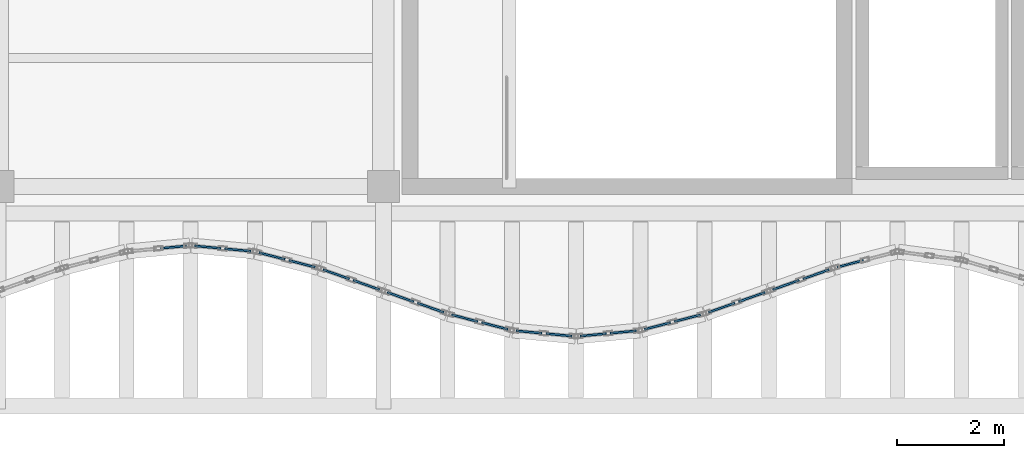
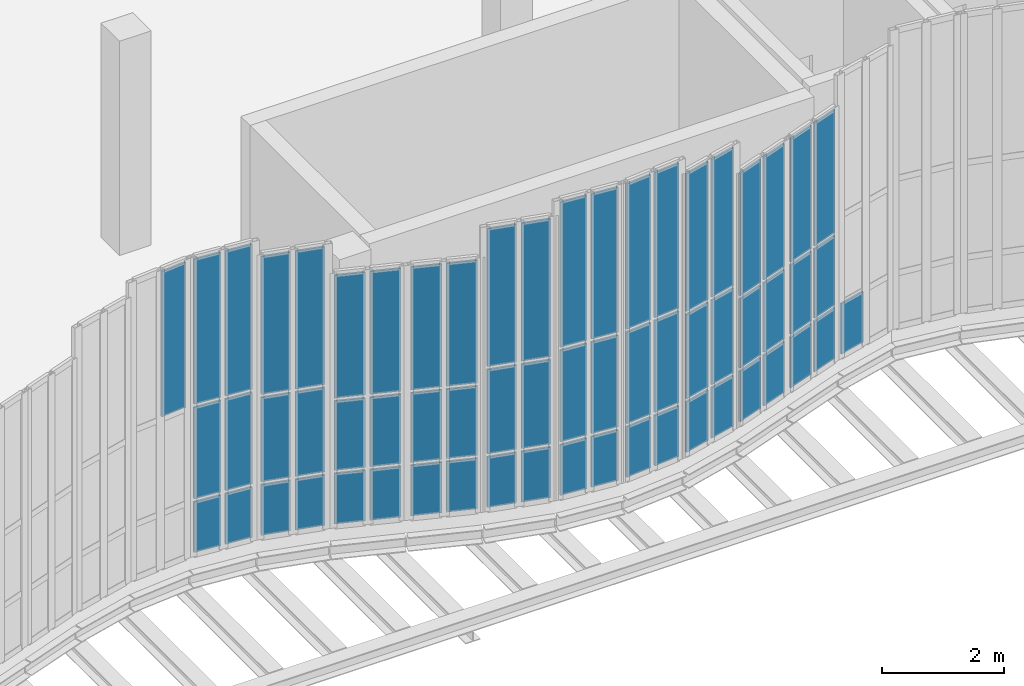
# One storey, part 51 of 76: 62 plates, 12 elements without a shape of their own.
"""IFC4 building model written with IfcOpenShell, lengths in metres."""

from ifc_helpers import new_model, si_unit, direction, frame, origin, origin_2d, place, context, subcontext, project, spatial, rectangle, extrude, material, layer, layer_set, type_object, element, aggregate, save


model = new_model("IFC4")

# Units and contexts
model_context = context("Model", 3, precision=1e-05, world=origin(), true_north=direction((0.0, 1.0)))
body_context = subcontext(model_context, "Body", "Model", "MODEL_VIEW")
ifc_project = project(units=[si_unit("LENGTHUNIT", "METRE"), si_unit("AREAUNIT", "SQUARE_METRE"), si_unit("VOLUMEUNIT", "CUBIC_METRE"), si_unit("PLANEANGLEUNIT", "RADIAN"), si_unit("MASSUNIT", "GRAM", prefix="KILO"), si_unit("THERMODYNAMICTEMPERATUREUNIT", "KELVIN"), si_unit("POWERUNIT", "WATT")], contexts=[model_context])

# Site, building, storey
site_placement = place(None, origin())
site = spatial("IfcSite", under=ifc_project, at=site_placement, CompositionType="ELEMENT")
building_placement = place(site_placement, origin())
building = spatial("IfcBuilding", under=site, at=building_placement, Name="Kaldorven Railside Theatre", CompositionType="ELEMENT")
storey_placement = place(building_placement, frame((0.0, 0.0, 14.39990234375)))
storey = spatial("IfcBuildingStorey", under=building, at=storey_placement, Name="L03", CompositionType="ELEMENT", Elevation=14.39990234375)

# Curtain wall, plate
ifc_material = material(Name="Low-E laminated solar-control glass", Category="glass")
ifc_layer_1 = layer(ifc_material, 0.159912109375, Name="Low-E laminated solar-control glass")
ifc_layer_set_1 = layer_set([ifc_layer_1], Name="Low-E laminated solar-control glass")
curtain_wall_type_1 = type_object("IfcCurtainWallType", Name="CWT-10", PredefinedType="USERDEFINED", material=ifc_layer_set_1)
curtain_wall_1_placement = place(storey_placement, origin())
curtain_wall_1 = element("IfcCurtainWall", 1, at=curtain_wall_1_placement, inside=storey, type_object=curtain_wall_type_1, Name="Sinusoidal Fluted Curtain Wall CW-L03-S15", ObjectType="FLUTED GLAZING", PredefinedType="USERDEFINED")
ifc_layer_2 = layer(ifc_material, 0.035888671875, Name="Low-E laminated solar-control glass")
ifc_layer_set_2 = layer_set([ifc_layer_2], Name="Low-E laminated solar-control glass")
plate_type = type_object("IfcPlateType", Name="CWP-CREST36", PredefinedType="CURTAIN_PANEL", material=ifc_layer_set_2)
plate_1_placement = place(storey_placement, frame((54.47998046875, 18.069580078125, 3.020263671875), z_axis=(0.0, 0.0, 1.0), x_axis=(0.995525623425, 0.094491973758, 0.0)))
plate_1 = element("IfcPlate", 2, at=plate_1_placement, type_object=plate_type, Name="CW-L03-S15 panel 2.3", PredefinedType="CURTAIN_PANEL", context=body_context, shape_type="SweptSolid", body=[
    extrude(rectangle(XDim=0.482666015625, YDim=0.035888671875, at=origin_2d()), origin(), (0.0, 0.0, 1.0), 2.89990234375),
])
aggregate(curtain_wall_1, [plate_1])

# Curtain wall, plates
curtain_wall_2_placement = place(storey_placement, origin())
curtain_wall_2 = element("IfcCurtainWall", 3, at=curtain_wall_2_placement, inside=storey, type_object=curtain_wall_type_1, Name="Sinusoidal Fluted Curtain Wall CW-L03-S16", ObjectType="FLUTED GLAZING", PredefinedType="USERDEFINED")
plate_2_placement = place(storey_placement, frame((55.119873046875, 18.069580078125, 0.06005859375), z_axis=(0.0, 0.0, 1.0), x_axis=(0.995525623425, -0.094491973758, 0.0)))
plate_2 = element("IfcPlate", 4, at=plate_2_placement, type_object=plate_type, Name="CW-L03-S16 panel 1.1", PredefinedType="CURTAIN_PANEL", context=body_context, shape_type="SweptSolid", body=[
    extrude(rectangle(XDim=0.482666015625, YDim=0.035888671875, at=origin_2d()), origin(), (0.0, 0.0, 1.0), 1.010009765625),
])
plate_3_placement = place(storey_placement, frame((55.119873046875, 18.069580078125, 1.130126953125), z_axis=(0.0, 0.0, 1.0), x_axis=(0.995525623425, -0.094491973758, 0.0)))
plate_3 = element("IfcPlate", 5, at=plate_3_placement, type_object=plate_type, Name="CW-L03-S16 panel 1.2", PredefinedType="CURTAIN_PANEL", context=body_context, shape_type="SweptSolid", body=[
    extrude(rectangle(XDim=0.482666015625, YDim=0.035888671875, at=origin_2d()), origin(), (0.0, 0.0, 1.0), 1.830078125),
])
plate_4_placement = place(storey_placement, frame((55.119873046875, 18.069580078125, 3.020263671875), z_axis=(0.0, 0.0, 1.0), x_axis=(0.995525623425, -0.094491973758, 0.0)))
plate_4 = element("IfcPlate", 6, at=plate_4_placement, type_object=plate_type, Name="CW-L03-S16 panel 1.3", PredefinedType="CURTAIN_PANEL", context=body_context, shape_type="SweptSolid", body=[
    extrude(rectangle(XDim=0.482666015625, YDim=0.035888671875, at=origin_2d()), origin(), (0.0, 0.0, 1.0), 2.89990234375),
])
plate_5_placement = place(storey_placement, frame((55.68017578125, 18.016357421875, 0.06005859375), z_axis=(0.0, 0.0, 1.0), x_axis=(0.995525623425, -0.094491973758, 0.0)))
plate_5 = element("IfcPlate", 7, at=plate_5_placement, type_object=plate_type, Name="CW-L03-S16 panel 2.1", PredefinedType="CURTAIN_PANEL", context=body_context, shape_type="SweptSolid", body=[
    extrude(rectangle(XDim=0.482666015625, YDim=0.035888671875, at=origin_2d()), origin(), (0.0, 0.0, 1.0), 1.010009765625),
])
plate_6_placement = place(storey_placement, frame((55.68017578125, 18.016357421875, 1.130126953125), z_axis=(0.0, 0.0, 1.0), x_axis=(0.995525623425, -0.094491973758, 0.0)))
plate_6 = element("IfcPlate", 8, at=plate_6_placement, type_object=plate_type, Name="CW-L03-S16 panel 2.2", PredefinedType="CURTAIN_PANEL", context=body_context, shape_type="SweptSolid", body=[
    extrude(rectangle(XDim=0.482666015625, YDim=0.035888671875, at=origin_2d()), origin(), (0.0, 0.0, 1.0), 1.830078125),
])
plate_7_placement = place(storey_placement, frame((55.68017578125, 18.016357421875, 3.020263671875), z_axis=(0.0, 0.0, 1.0), x_axis=(0.995525623425, -0.094491973758, 0.0)))
plate_7 = element("IfcPlate", 9, at=plate_7_placement, type_object=plate_type, Name="CW-L03-S16 panel 2.3", PredefinedType="CURTAIN_PANEL", context=body_context, shape_type="SweptSolid", body=[
    extrude(rectangle(XDim=0.482666015625, YDim=0.035888671875, at=origin_2d()), origin(), (0.0, 0.0, 1.0), 2.89990234375),
])
aggregate(curtain_wall_2, [plate_2, plate_3, plate_4, plate_5, plate_6, plate_7])

ifc_layer_3 = layer(ifc_material, 0.159912109375, Name="Low-E laminated solar-control glass")
ifc_layer_set_3 = layer_set([ifc_layer_3], Name="Low-E laminated solar-control glass")
curtain_wall_type_2 = type_object("IfcCurtainWallType", Name="CWT-09", PredefinedType="USERDEFINED", material=ifc_layer_set_3)
curtain_wall_3_placement = place(storey_placement, origin())
curtain_wall_3 = element("IfcCurtainWall", 10, at=curtain_wall_3_placement, inside=storey, type_object=curtain_wall_type_2, Name="Sinusoidal Fluted Curtain Wall CW-L03-S17", ObjectType="FLUTED GLAZING", PredefinedType="USERDEFINED")
plate_8_placement = place(storey_placement, frame((56.3193359375, 17.9033203125, 0.06005859375), z_axis=(0.0, 0.0, 1.0), x_axis=(0.967999075505, -0.250953760326, 0.0)))
plate_8 = element("IfcPlate", 11, at=plate_8_placement, type_object=plate_type, Name="CW-L03-S17 panel 1.1", PredefinedType="CURTAIN_PANEL", context=body_context, shape_type="SweptSolid", body=[
    extrude(rectangle(XDim=0.499755859375, YDim=0.035888671875, at=origin_2d()), origin(), (0.0, 0.0, 1.0), 1.010009765625),
])
plate_9_placement = place(storey_placement, frame((56.3193359375, 17.9033203125, 1.130126953125), z_axis=(0.0, 0.0, 1.0), x_axis=(0.967999075505, -0.250953760326, 0.0)))
plate_9 = element("IfcPlate", 12, at=plate_9_placement, type_object=plate_type, Name="CW-L03-S17 panel 1.2", PredefinedType="CURTAIN_PANEL", context=body_context, shape_type="SweptSolid", body=[
    extrude(rectangle(XDim=0.499755859375, YDim=0.035888671875, at=origin_2d()), origin(), (0.0, 0.0, 1.0), 1.68505859375),
])
plate_10_placement = place(storey_placement, frame((56.3193359375, 17.9033203125, 2.875244140625), z_axis=(0.0, 0.0, 1.0), x_axis=(0.967999075505, -0.250953760326, 0.0)))
plate_10 = element("IfcPlate", 13, at=plate_10_placement, type_object=plate_type, Name="CW-L03-S17 panel 1.3", PredefinedType="CURTAIN_PANEL", context=body_context, shape_type="SweptSolid", body=[
    extrude(rectangle(XDim=0.499755859375, YDim=0.035888671875, at=origin_2d()), origin(), (0.0, 0.0, 1.0), 2.7548828125),
])
plate_11_placement = place(storey_placement, frame((56.880615234375, 17.7578125, 0.06005859375), z_axis=(0.0, 0.0, 1.0), x_axis=(0.967999075505, -0.250953760326, 0.0)))
plate_11 = element("IfcPlate", 14, at=plate_11_placement, type_object=plate_type, Name="CW-L03-S17 panel 2.1", PredefinedType="CURTAIN_PANEL", context=body_context, shape_type="SweptSolid", body=[
    extrude(rectangle(XDim=0.499755859375, YDim=0.035888671875, at=origin_2d()), origin(), (0.0, 0.0, 1.0), 1.010009765625),
])
plate_12_placement = place(storey_placement, frame((56.880615234375, 17.7578125, 1.130126953125), z_axis=(0.0, 0.0, 1.0), x_axis=(0.967999075505, -0.250953760326, 0.0)))
plate_12 = element("IfcPlate", 15, at=plate_12_placement, type_object=plate_type, Name="CW-L03-S17 panel 2.2", PredefinedType="CURTAIN_PANEL", context=body_context, shape_type="SweptSolid", body=[
    extrude(rectangle(XDim=0.499755859375, YDim=0.035888671875, at=origin_2d()), origin(), (0.0, 0.0, 1.0), 1.68505859375),
])
plate_13_placement = place(storey_placement, frame((56.880615234375, 17.7578125, 2.875244140625), z_axis=(0.0, 0.0, 1.0), x_axis=(0.967999075505, -0.250953760326, 0.0)))
plate_13 = element("IfcPlate", 16, at=plate_13_placement, type_object=plate_type, Name="CW-L03-S17 panel 2.3", PredefinedType="CURTAIN_PANEL", context=body_context, shape_type="SweptSolid", body=[
    extrude(rectangle(XDim=0.499755859375, YDim=0.035888671875, at=origin_2d()), origin(), (0.0, 0.0, 1.0), 2.7548828125),
])
aggregate(curtain_wall_3, [plate_8, plate_9, plate_10, plate_11, plate_12, plate_13])

ifc_layer_4 = layer(ifc_material, 0.159912109375, Name="Low-E laminated solar-control glass")
ifc_layer_set_4 = layer_set([ifc_layer_4], Name="Low-E laminated solar-control glass")
curtain_wall_type_3 = type_object("IfcCurtainWallType", Name="CWT-08", PredefinedType="USERDEFINED", material=ifc_layer_set_4)
curtain_wall_4_placement = place(storey_placement, origin())
curtain_wall_4 = element("IfcCurtainWall", 17, at=curtain_wall_4_placement, inside=storey, type_object=curtain_wall_type_3, Name="Sinusoidal Fluted Curtain Wall CW-L03-S18", ObjectType="FLUTED GLAZING", PredefinedType="USERDEFINED")
plate_14_placement = place(storey_placement, frame((57.518798828125, 17.56201171875, 0.06005859375), z_axis=(0.0, 0.0, 1.0), x_axis=(0.942627225159, -0.33384714225, 0.0)))
plate_14 = element("IfcPlate", 18, at=plate_14_placement, type_object=plate_type, Name="CW-L03-S18 panel 1.1", PredefinedType="CURTAIN_PANEL", context=body_context, shape_type="SweptSolid", body=[
    extrude(rectangle(XDim=0.5166015625, YDim=0.035888671875, at=origin_2d()), origin(), (0.0, 0.0, 1.0), 1.010009765625),
])
plate_15_placement = place(storey_placement, frame((57.518798828125, 17.56201171875, 1.1298828125), z_axis=(0.0, 0.0, 1.0), x_axis=(0.942627225159, -0.33384714225, 0.0)))
plate_15 = element("IfcPlate", 19, at=plate_15_placement, type_object=plate_type, Name="CW-L03-S18 panel 1.2", PredefinedType="CURTAIN_PANEL", context=body_context, shape_type="SweptSolid", body=[
    extrude(rectangle(XDim=0.5166015625, YDim=0.035888671875, at=origin_2d()), origin(), (0.0, 0.0, 1.0), 1.385009765625),
])
plate_16_placement = place(storey_placement, frame((57.518798828125, 17.56201171875, 2.574951171875), z_axis=(0.0, 0.0, 1.0), x_axis=(0.942627225159, -0.33384714225, 0.0)))
plate_16 = element("IfcPlate", 20, at=plate_16_placement, type_object=plate_type, Name="CW-L03-S18 panel 1.3", PredefinedType="CURTAIN_PANEL", context=body_context, shape_type="SweptSolid", body=[
    extrude(rectangle(XDim=0.5166015625, YDim=0.035888671875, at=origin_2d()), origin(), (0.0, 0.0, 1.0), 2.455078125),
])
plate_17_placement = place(storey_placement, frame((58.0810546875, 17.363037109375, 0.06005859375), z_axis=(0.0, 0.0, 1.0), x_axis=(0.942627225159, -0.33384714225, 0.0)))
plate_17 = element("IfcPlate", 21, at=plate_17_placement, type_object=plate_type, Name="CW-L03-S18 panel 2.1", PredefinedType="CURTAIN_PANEL", context=body_context, shape_type="SweptSolid", body=[
    extrude(rectangle(XDim=0.5166015625, YDim=0.035888671875, at=origin_2d()), origin(), (0.0, 0.0, 1.0), 1.010009765625),
])
plate_18_placement = place(storey_placement, frame((58.0810546875, 17.363037109375, 1.1298828125), z_axis=(0.0, 0.0, 1.0), x_axis=(0.942627225159, -0.33384714225, 0.0)))
plate_18 = element("IfcPlate", 22, at=plate_18_placement, type_object=plate_type, Name="CW-L03-S18 panel 2.2", PredefinedType="CURTAIN_PANEL", context=body_context, shape_type="SweptSolid", body=[
    extrude(rectangle(XDim=0.5166015625, YDim=0.035888671875, at=origin_2d()), origin(), (0.0, 0.0, 1.0), 1.385009765625),
])
plate_19_placement = place(storey_placement, frame((58.0810546875, 17.363037109375, 2.574951171875), z_axis=(0.0, 0.0, 1.0), x_axis=(0.942627225159, -0.33384714225, 0.0)))
plate_19 = element("IfcPlate", 23, at=plate_19_placement, type_object=plate_type, Name="CW-L03-S18 panel 2.3", PredefinedType="CURTAIN_PANEL", context=body_context, shape_type="SweptSolid", body=[
    extrude(rectangle(XDim=0.5166015625, YDim=0.035888671875, at=origin_2d()), origin(), (0.0, 0.0, 1.0), 2.455078125),
])
aggregate(curtain_wall_4, [plate_14, plate_15, plate_16, plate_17, plate_18, plate_19])

curtain_wall_5_placement = place(storey_placement, origin())
curtain_wall_5 = element("IfcCurtainWall", 24, at=curtain_wall_5_placement, inside=storey, type_object=curtain_wall_type_3, Name="Sinusoidal Fluted Curtain Wall CW-L03-S19", ObjectType="FLUTED GLAZING", PredefinedType="USERDEFINED")
plate_20_placement = place(storey_placement, frame((58.71875, 17.136962890625, 0.06005859375), z_axis=(0.0, 0.0, 1.0), x_axis=(0.942627225159, -0.33384714225, 0.0)))
plate_20 = element("IfcPlate", 25, at=plate_20_placement, type_object=plate_type, Name="CW-L03-S19 panel 1.1", PredefinedType="CURTAIN_PANEL", context=body_context, shape_type="SweptSolid", body=[
    extrude(rectangle(XDim=0.5166015625, YDim=0.035888671875, at=origin_2d()), origin(), (0.0, 0.0, 1.0), 1.010009765625),
])
plate_21_placement = place(storey_placement, frame((58.71875, 17.136962890625, 1.1298828125), z_axis=(0.0, 0.0, 1.0), x_axis=(0.942627225159, -0.33384714225, 0.0)))
plate_21 = element("IfcPlate", 26, at=plate_21_placement, type_object=plate_type, Name="CW-L03-S19 panel 1.2", PredefinedType="CURTAIN_PANEL", context=body_context, shape_type="SweptSolid", body=[
    extrude(rectangle(XDim=0.5166015625, YDim=0.035888671875, at=origin_2d()), origin(), (0.0, 0.0, 1.0), 1.385009765625),
])
plate_22_placement = place(storey_placement, frame((58.71875, 17.136962890625, 2.574951171875), z_axis=(0.0, 0.0, 1.0), x_axis=(0.942627225159, -0.33384714225, 0.0)))
plate_22 = element("IfcPlate", 27, at=plate_22_placement, type_object=plate_type, Name="CW-L03-S19 panel 1.3", PredefinedType="CURTAIN_PANEL", context=body_context, shape_type="SweptSolid", body=[
    extrude(rectangle(XDim=0.5166015625, YDim=0.035888671875, at=origin_2d()), origin(), (0.0, 0.0, 1.0), 2.455078125),
])
plate_23_placement = place(storey_placement, frame((59.28125, 16.93798828125, 0.06005859375), z_axis=(0.0, 0.0, 1.0), x_axis=(0.942627225159, -0.33384714225, 0.0)))
plate_23 = element("IfcPlate", 28, at=plate_23_placement, type_object=plate_type, Name="CW-L03-S19 panel 2.1", PredefinedType="CURTAIN_PANEL", context=body_context, shape_type="SweptSolid", body=[
    extrude(rectangle(XDim=0.5166015625, YDim=0.035888671875, at=origin_2d()), origin(), (0.0, 0.0, 1.0), 1.010009765625),
])
plate_24_placement = place(storey_placement, frame((59.28125, 16.93798828125, 1.1298828125), z_axis=(0.0, 0.0, 1.0), x_axis=(0.942627225159, -0.33384714225, 0.0)))
plate_24 = element("IfcPlate", 29, at=plate_24_placement, type_object=plate_type, Name="CW-L03-S19 panel 2.2", PredefinedType="CURTAIN_PANEL", context=body_context, shape_type="SweptSolid", body=[
    extrude(rectangle(XDim=0.5166015625, YDim=0.035888671875, at=origin_2d()), origin(), (0.0, 0.0, 1.0), 1.385009765625),
])
plate_25_placement = place(storey_placement, frame((59.28125, 16.93798828125, 2.574951171875), z_axis=(0.0, 0.0, 1.0), x_axis=(0.942627225159, -0.33384714225, 0.0)))
plate_25 = element("IfcPlate", 30, at=plate_25_placement, type_object=plate_type, Name="CW-L03-S19 panel 2.3", PredefinedType="CURTAIN_PANEL", context=body_context, shape_type="SweptSolid", body=[
    extrude(rectangle(XDim=0.5166015625, YDim=0.035888671875, at=origin_2d()), origin(), (0.0, 0.0, 1.0), 2.455078125),
])
aggregate(curtain_wall_5, [plate_20, plate_21, plate_22, plate_23, plate_24, plate_25])

curtain_wall_6_placement = place(storey_placement, origin())
curtain_wall_6 = element("IfcCurtainWall", 31, at=curtain_wall_6_placement, inside=storey, type_object=curtain_wall_type_2, Name="Sinusoidal Fluted Curtain Wall CW-L03-S20", ObjectType="FLUTED GLAZING", PredefinedType="USERDEFINED")
plate_26_placement = place(storey_placement, frame((59.91943359375, 16.7421875, 0.06005859375), z_axis=(0.0, 0.0, 1.0), x_axis=(0.967999075505, -0.250953760326, 0.0)))
plate_26 = element("IfcPlate", 32, at=plate_26_placement, type_object=plate_type, Name="CW-L03-S20 panel 1.1", PredefinedType="CURTAIN_PANEL", context=body_context, shape_type="SweptSolid", body=[
    extrude(rectangle(XDim=0.499755859375, YDim=0.035888671875, at=origin_2d()), origin(), (0.0, 0.0, 1.0), 1.010009765625),
])
plate_27_placement = place(storey_placement, frame((59.91943359375, 16.7421875, 1.130126953125), z_axis=(0.0, 0.0, 1.0), x_axis=(0.967999075505, -0.250953760326, 0.0)))
plate_27 = element("IfcPlate", 33, at=plate_27_placement, type_object=plate_type, Name="CW-L03-S20 panel 1.2", PredefinedType="CURTAIN_PANEL", context=body_context, shape_type="SweptSolid", body=[
    extrude(rectangle(XDim=0.499755859375, YDim=0.035888671875, at=origin_2d()), origin(), (0.0, 0.0, 1.0), 1.68505859375),
])
plate_28_placement = place(storey_placement, frame((59.91943359375, 16.7421875, 2.875244140625), z_axis=(0.0, 0.0, 1.0), x_axis=(0.967999075505, -0.250953760326, 0.0)))
plate_28 = element("IfcPlate", 34, at=plate_28_placement, type_object=plate_type, Name="CW-L03-S20 panel 1.3", PredefinedType="CURTAIN_PANEL", context=body_context, shape_type="SweptSolid", body=[
    extrude(rectangle(XDim=0.499755859375, YDim=0.035888671875, at=origin_2d()), origin(), (0.0, 0.0, 1.0), 2.7548828125),
])
plate_29_placement = place(storey_placement, frame((60.480712890625, 16.5966796875, 0.06005859375), z_axis=(0.0, 0.0, 1.0), x_axis=(0.967999075505, -0.250953760326, 0.0)))
plate_29 = element("IfcPlate", 35, at=plate_29_placement, type_object=plate_type, Name="CW-L03-S20 panel 2.1", PredefinedType="CURTAIN_PANEL", context=body_context, shape_type="SweptSolid", body=[
    extrude(rectangle(XDim=0.499755859375, YDim=0.035888671875, at=origin_2d()), origin(), (0.0, 0.0, 1.0), 1.010009765625),
])
plate_30_placement = place(storey_placement, frame((60.480712890625, 16.5966796875, 1.130126953125), z_axis=(0.0, 0.0, 1.0), x_axis=(0.967999075505, -0.250953760326, 0.0)))
plate_30 = element("IfcPlate", 36, at=plate_30_placement, type_object=plate_type, Name="CW-L03-S20 panel 2.2", PredefinedType="CURTAIN_PANEL", context=body_context, shape_type="SweptSolid", body=[
    extrude(rectangle(XDim=0.499755859375, YDim=0.035888671875, at=origin_2d()), origin(), (0.0, 0.0, 1.0), 1.68505859375),
])
plate_31_placement = place(storey_placement, frame((60.480712890625, 16.5966796875, 2.875244140625), z_axis=(0.0, 0.0, 1.0), x_axis=(0.967999075505, -0.250953760326, 0.0)))
plate_31 = element("IfcPlate", 37, at=plate_31_placement, type_object=plate_type, Name="CW-L03-S20 panel 2.3", PredefinedType="CURTAIN_PANEL", context=body_context, shape_type="SweptSolid", body=[
    extrude(rectangle(XDim=0.499755859375, YDim=0.035888671875, at=origin_2d()), origin(), (0.0, 0.0, 1.0), 2.7548828125),
])
aggregate(curtain_wall_6, [plate_26, plate_27, plate_28, plate_29, plate_30, plate_31])

curtain_wall_7_placement = place(storey_placement, origin())
curtain_wall_7 = element("IfcCurtainWall", 38, at=curtain_wall_7_placement, inside=storey, type_object=curtain_wall_type_1, Name="Sinusoidal Fluted Curtain Wall CW-L03-S21", ObjectType="FLUTED GLAZING", PredefinedType="USERDEFINED")
plate_32_placement = place(storey_placement, frame((61.119873046875, 16.483642578125, 0.06005859375), z_axis=(0.0, 0.0, 1.0), x_axis=(0.995525623425, -0.094491973758, 0.0)))
plate_32 = element("IfcPlate", 39, at=plate_32_placement, type_object=plate_type, Name="CW-L03-S21 panel 1.1", PredefinedType="CURTAIN_PANEL", context=body_context, shape_type="SweptSolid", body=[
    extrude(rectangle(XDim=0.482666015625, YDim=0.035888671875, at=origin_2d()), origin(), (0.0, 0.0, 1.0), 1.010009765625),
])
plate_33_placement = place(storey_placement, frame((61.119873046875, 16.483642578125, 1.130126953125), z_axis=(0.0, 0.0, 1.0), x_axis=(0.995525623425, -0.094491973758, 0.0)))
plate_33 = element("IfcPlate", 40, at=plate_33_placement, type_object=plate_type, Name="CW-L03-S21 panel 1.2", PredefinedType="CURTAIN_PANEL", context=body_context, shape_type="SweptSolid", body=[
    extrude(rectangle(XDim=0.482666015625, YDim=0.035888671875, at=origin_2d()), origin(), (0.0, 0.0, 1.0), 1.830078125),
])
plate_34_placement = place(storey_placement, frame((61.119873046875, 16.483642578125, 3.020263671875), z_axis=(0.0, 0.0, 1.0), x_axis=(0.995525623425, -0.094491973758, 0.0)))
plate_34 = element("IfcPlate", 41, at=plate_34_placement, type_object=plate_type, Name="CW-L03-S21 panel 1.3", PredefinedType="CURTAIN_PANEL", context=body_context, shape_type="SweptSolid", body=[
    extrude(rectangle(XDim=0.482666015625, YDim=0.035888671875, at=origin_2d()), origin(), (0.0, 0.0, 1.0), 2.89990234375),
])
plate_35_placement = place(storey_placement, frame((61.68017578125, 16.430419921875, 0.06005859375), z_axis=(0.0, 0.0, 1.0), x_axis=(0.995525623425, -0.094491973758, 0.0)))
plate_35 = element("IfcPlate", 42, at=plate_35_placement, type_object=plate_type, Name="CW-L03-S21 panel 2.1", PredefinedType="CURTAIN_PANEL", context=body_context, shape_type="SweptSolid", body=[
    extrude(rectangle(XDim=0.482666015625, YDim=0.035888671875, at=origin_2d()), origin(), (0.0, 0.0, 1.0), 1.010009765625),
])
plate_36_placement = place(storey_placement, frame((61.68017578125, 16.430419921875, 1.130126953125), z_axis=(0.0, 0.0, 1.0), x_axis=(0.995525623425, -0.094491973758, 0.0)))
plate_36 = element("IfcPlate", 43, at=plate_36_placement, type_object=plate_type, Name="CW-L03-S21 panel 2.2", PredefinedType="CURTAIN_PANEL", context=body_context, shape_type="SweptSolid", body=[
    extrude(rectangle(XDim=0.482666015625, YDim=0.035888671875, at=origin_2d()), origin(), (0.0, 0.0, 1.0), 1.830078125),
])
plate_37_placement = place(storey_placement, frame((61.68017578125, 16.430419921875, 3.020263671875), z_axis=(0.0, 0.0, 1.0), x_axis=(0.995525623425, -0.094491973758, 0.0)))
plate_37 = element("IfcPlate", 44, at=plate_37_placement, type_object=plate_type, Name="CW-L03-S21 panel 2.3", PredefinedType="CURTAIN_PANEL", context=body_context, shape_type="SweptSolid", body=[
    extrude(rectangle(XDim=0.482666015625, YDim=0.035888671875, at=origin_2d()), origin(), (0.0, 0.0, 1.0), 2.89990234375),
])
aggregate(curtain_wall_7, [plate_32, plate_33, plate_34, plate_35, plate_36, plate_37])

curtain_wall_8_placement = place(storey_placement, origin())
curtain_wall_8 = element("IfcCurtainWall", 45, at=curtain_wall_8_placement, inside=storey, type_object=curtain_wall_type_1, Name="Sinusoidal Fluted Curtain Wall CW-L03-S22", ObjectType="FLUTED GLAZING", PredefinedType="USERDEFINED")
plate_38_placement = place(storey_placement, frame((62.31982421875, 16.430419921875, 0.06005859375), z_axis=(0.0, 0.0, 1.0), x_axis=(0.995525623425, 0.094491973758, 0.0)))
plate_38 = element("IfcPlate", 46, at=plate_38_placement, type_object=plate_type, Name="CW-L03-S22 panel 1.1", PredefinedType="CURTAIN_PANEL", context=body_context, shape_type="SweptSolid", body=[
    extrude(rectangle(XDim=0.482666015625, YDim=0.035888671875, at=origin_2d()), origin(), (0.0, 0.0, 1.0), 1.010009765625),
])
plate_39_placement = place(storey_placement, frame((62.31982421875, 16.430419921875, 1.130126953125), z_axis=(0.0, 0.0, 1.0), x_axis=(0.995525623425, 0.094491973758, 0.0)))
plate_39 = element("IfcPlate", 47, at=plate_39_placement, type_object=plate_type, Name="CW-L03-S22 panel 1.2", PredefinedType="CURTAIN_PANEL", context=body_context, shape_type="SweptSolid", body=[
    extrude(rectangle(XDim=0.482666015625, YDim=0.035888671875, at=origin_2d()), origin(), (0.0, 0.0, 1.0), 1.830078125),
])
plate_40_placement = place(storey_placement, frame((62.31982421875, 16.430419921875, 3.020263671875), z_axis=(0.0, 0.0, 1.0), x_axis=(0.995525623425, 0.094491973758, 0.0)))
plate_40 = element("IfcPlate", 48, at=plate_40_placement, type_object=plate_type, Name="CW-L03-S22 panel 1.3", PredefinedType="CURTAIN_PANEL", context=body_context, shape_type="SweptSolid", body=[
    extrude(rectangle(XDim=0.482666015625, YDim=0.035888671875, at=origin_2d()), origin(), (0.0, 0.0, 1.0), 2.89990234375),
])
plate_41_placement = place(storey_placement, frame((62.880126953125, 16.483642578125, 0.06005859375), z_axis=(0.0, 0.0, 1.0), x_axis=(0.995525623425, 0.094491973758, 0.0)))
plate_41 = element("IfcPlate", 49, at=plate_41_placement, type_object=plate_type, Name="CW-L03-S22 panel 2.1", PredefinedType="CURTAIN_PANEL", context=body_context, shape_type="SweptSolid", body=[
    extrude(rectangle(XDim=0.482666015625, YDim=0.035888671875, at=origin_2d()), origin(), (0.0, 0.0, 1.0), 1.010009765625),
])
plate_42_placement = place(storey_placement, frame((62.880126953125, 16.483642578125, 1.130126953125), z_axis=(0.0, 0.0, 1.0), x_axis=(0.995525623425, 0.094491973758, 0.0)))
plate_42 = element("IfcPlate", 50, at=plate_42_placement, type_object=plate_type, Name="CW-L03-S22 panel 2.2", PredefinedType="CURTAIN_PANEL", context=body_context, shape_type="SweptSolid", body=[
    extrude(rectangle(XDim=0.482666015625, YDim=0.035888671875, at=origin_2d()), origin(), (0.0, 0.0, 1.0), 1.830078125),
])
plate_43_placement = place(storey_placement, frame((62.880126953125, 16.483642578125, 3.020263671875), z_axis=(0.0, 0.0, 1.0), x_axis=(0.995525623425, 0.094491973758, 0.0)))
plate_43 = element("IfcPlate", 51, at=plate_43_placement, type_object=plate_type, Name="CW-L03-S22 panel 2.3", PredefinedType="CURTAIN_PANEL", context=body_context, shape_type="SweptSolid", body=[
    extrude(rectangle(XDim=0.482666015625, YDim=0.035888671875, at=origin_2d()), origin(), (0.0, 0.0, 1.0), 2.89990234375),
])
aggregate(curtain_wall_8, [plate_38, plate_39, plate_40, plate_41, plate_42, plate_43])

curtain_wall_9_placement = place(storey_placement, origin())
curtain_wall_9 = element("IfcCurtainWall", 52, at=curtain_wall_9_placement, inside=storey, type_object=curtain_wall_type_2, Name="Sinusoidal Fluted Curtain Wall CW-L03-S23", ObjectType="FLUTED GLAZING", PredefinedType="USERDEFINED")
plate_44_placement = place(storey_placement, frame((63.519287109375, 16.5966796875, 0.06005859375), z_axis=(0.0, 0.0, 1.0), x_axis=(0.967999075505, 0.250953760326, 0.0)))
plate_44 = element("IfcPlate", 53, at=plate_44_placement, type_object=plate_type, Name="CW-L03-S23 panel 1.1", PredefinedType="CURTAIN_PANEL", context=body_context, shape_type="SweptSolid", body=[
    extrude(rectangle(XDim=0.499755859375, YDim=0.035888671875, at=origin_2d()), origin(), (0.0, 0.0, 1.0), 1.010009765625),
])
plate_45_placement = place(storey_placement, frame((63.519287109375, 16.5966796875, 1.130126953125), z_axis=(0.0, 0.0, 1.0), x_axis=(0.967999075505, 0.250953760326, 0.0)))
plate_45 = element("IfcPlate", 54, at=plate_45_placement, type_object=plate_type, Name="CW-L03-S23 panel 1.2", PredefinedType="CURTAIN_PANEL", context=body_context, shape_type="SweptSolid", body=[
    extrude(rectangle(XDim=0.499755859375, YDim=0.035888671875, at=origin_2d()), origin(), (0.0, 0.0, 1.0), 1.68505859375),
])
plate_46_placement = place(storey_placement, frame((63.519287109375, 16.5966796875, 2.875244140625), z_axis=(0.0, 0.0, 1.0), x_axis=(0.967999075505, 0.250953760326, 0.0)))
plate_46 = element("IfcPlate", 55, at=plate_46_placement, type_object=plate_type, Name="CW-L03-S23 panel 1.3", PredefinedType="CURTAIN_PANEL", context=body_context, shape_type="SweptSolid", body=[
    extrude(rectangle(XDim=0.499755859375, YDim=0.035888671875, at=origin_2d()), origin(), (0.0, 0.0, 1.0), 2.7548828125),
])
plate_47_placement = place(storey_placement, frame((64.08056640625, 16.7421875, 0.06005859375), z_axis=(0.0, 0.0, 1.0), x_axis=(0.967999075505, 0.250953760326, 0.0)))
plate_47 = element("IfcPlate", 56, at=plate_47_placement, type_object=plate_type, Name="CW-L03-S23 panel 2.1", PredefinedType="CURTAIN_PANEL", context=body_context, shape_type="SweptSolid", body=[
    extrude(rectangle(XDim=0.499755859375, YDim=0.035888671875, at=origin_2d()), origin(), (0.0, 0.0, 1.0), 1.010009765625),
])
plate_48_placement = place(storey_placement, frame((64.08056640625, 16.7421875, 1.130126953125), z_axis=(0.0, 0.0, 1.0), x_axis=(0.967999075505, 0.250953760326, 0.0)))
plate_48 = element("IfcPlate", 57, at=plate_48_placement, type_object=plate_type, Name="CW-L03-S23 panel 2.2", PredefinedType="CURTAIN_PANEL", context=body_context, shape_type="SweptSolid", body=[
    extrude(rectangle(XDim=0.499755859375, YDim=0.035888671875, at=origin_2d()), origin(), (0.0, 0.0, 1.0), 1.68505859375),
])
plate_49_placement = place(storey_placement, frame((64.08056640625, 16.7421875, 2.875244140625), z_axis=(0.0, 0.0, 1.0), x_axis=(0.967999075505, 0.250953760326, 0.0)))
plate_49 = element("IfcPlate", 58, at=plate_49_placement, type_object=plate_type, Name="CW-L03-S23 panel 2.3", PredefinedType="CURTAIN_PANEL", context=body_context, shape_type="SweptSolid", body=[
    extrude(rectangle(XDim=0.499755859375, YDim=0.035888671875, at=origin_2d()), origin(), (0.0, 0.0, 1.0), 2.7548828125),
])
aggregate(curtain_wall_9, [plate_44, plate_45, plate_46, plate_47, plate_48, plate_49])

curtain_wall_10_placement = place(storey_placement, origin())
curtain_wall_10 = element("IfcCurtainWall", 59, at=curtain_wall_10_placement, inside=storey, type_object=curtain_wall_type_3, Name="Sinusoidal Fluted Curtain Wall CW-L03-S24", ObjectType="FLUTED GLAZING", PredefinedType="USERDEFINED")
plate_50_placement = place(storey_placement, frame((64.71875, 16.93798828125, 0.06005859375), z_axis=(0.0, 0.0, 1.0), x_axis=(0.942627225159, 0.33384714225, 0.0)))
plate_50 = element("IfcPlate", 60, at=plate_50_placement, type_object=plate_type, Name="CW-L03-S24 panel 1.1", PredefinedType="CURTAIN_PANEL", context=body_context, shape_type="SweptSolid", body=[
    extrude(rectangle(XDim=0.5166015625, YDim=0.035888671875, at=origin_2d()), origin(), (0.0, 0.0, 1.0), 1.010009765625),
])
plate_51_placement = place(storey_placement, frame((64.71875, 16.93798828125, 1.1298828125), z_axis=(0.0, 0.0, 1.0), x_axis=(0.942627225159, 0.33384714225, 0.0)))
plate_51 = element("IfcPlate", 61, at=plate_51_placement, type_object=plate_type, Name="CW-L03-S24 panel 1.2", PredefinedType="CURTAIN_PANEL", context=body_context, shape_type="SweptSolid", body=[
    extrude(rectangle(XDim=0.5166015625, YDim=0.035888671875, at=origin_2d()), origin(), (0.0, 0.0, 1.0), 1.385009765625),
])
plate_52_placement = place(storey_placement, frame((64.71875, 16.93798828125, 2.574951171875), z_axis=(0.0, 0.0, 1.0), x_axis=(0.942627225159, 0.33384714225, 0.0)))
plate_52 = element("IfcPlate", 62, at=plate_52_placement, type_object=plate_type, Name="CW-L03-S24 panel 1.3", PredefinedType="CURTAIN_PANEL", context=body_context, shape_type="SweptSolid", body=[
    extrude(rectangle(XDim=0.5166015625, YDim=0.035888671875, at=origin_2d()), origin(), (0.0, 0.0, 1.0), 2.455078125),
])
plate_53_placement = place(storey_placement, frame((65.28125, 17.136962890625, 0.06005859375), z_axis=(0.0, 0.0, 1.0), x_axis=(0.942627225159, 0.33384714225, 0.0)))
plate_53 = element("IfcPlate", 63, at=plate_53_placement, type_object=plate_type, Name="CW-L03-S24 panel 2.1", PredefinedType="CURTAIN_PANEL", context=body_context, shape_type="SweptSolid", body=[
    extrude(rectangle(XDim=0.5166015625, YDim=0.035888671875, at=origin_2d()), origin(), (0.0, 0.0, 1.0), 1.010009765625),
])
plate_54_placement = place(storey_placement, frame((65.28125, 17.136962890625, 1.1298828125), z_axis=(0.0, 0.0, 1.0), x_axis=(0.942627225159, 0.33384714225, 0.0)))
plate_54 = element("IfcPlate", 64, at=plate_54_placement, type_object=plate_type, Name="CW-L03-S24 panel 2.2", PredefinedType="CURTAIN_PANEL", context=body_context, shape_type="SweptSolid", body=[
    extrude(rectangle(XDim=0.5166015625, YDim=0.035888671875, at=origin_2d()), origin(), (0.0, 0.0, 1.0), 1.385009765625),
])
plate_55_placement = place(storey_placement, frame((65.28125, 17.136962890625, 2.574951171875), z_axis=(0.0, 0.0, 1.0), x_axis=(0.942627225159, 0.33384714225, 0.0)))
plate_55 = element("IfcPlate", 65, at=plate_55_placement, type_object=plate_type, Name="CW-L03-S24 panel 2.3", PredefinedType="CURTAIN_PANEL", context=body_context, shape_type="SweptSolid", body=[
    extrude(rectangle(XDim=0.5166015625, YDim=0.035888671875, at=origin_2d()), origin(), (0.0, 0.0, 1.0), 2.455078125),
])
aggregate(curtain_wall_10, [plate_50, plate_51, plate_52, plate_53, plate_54, plate_55])

curtain_wall_11_placement = place(storey_placement, origin())
curtain_wall_11 = element("IfcCurtainWall", 66, at=curtain_wall_11_placement, inside=storey, type_object=curtain_wall_type_3, Name="Sinusoidal Fluted Curtain Wall CW-L03-S25", ObjectType="FLUTED GLAZING", PredefinedType="USERDEFINED")
plate_56_placement = place(storey_placement, frame((65.9189453125, 17.363037109375, 0.06005859375), z_axis=(0.0, 0.0, 1.0), x_axis=(0.942627225159, 0.33384714225, 0.0)))
plate_56 = element("IfcPlate", 67, at=plate_56_placement, type_object=plate_type, Name="CW-L03-S25 panel 1.1", PredefinedType="CURTAIN_PANEL", context=body_context, shape_type="SweptSolid", body=[
    extrude(rectangle(XDim=0.5166015625, YDim=0.035888671875, at=origin_2d()), origin(), (0.0, 0.0, 1.0), 1.010009765625),
])
plate_57_placement = place(storey_placement, frame((65.9189453125, 17.363037109375, 1.1298828125), z_axis=(0.0, 0.0, 1.0), x_axis=(0.942627225159, 0.33384714225, 0.0)))
plate_57 = element("IfcPlate", 68, at=plate_57_placement, type_object=plate_type, Name="CW-L03-S25 panel 1.2", PredefinedType="CURTAIN_PANEL", context=body_context, shape_type="SweptSolid", body=[
    extrude(rectangle(XDim=0.5166015625, YDim=0.035888671875, at=origin_2d()), origin(), (0.0, 0.0, 1.0), 1.385009765625),
])
plate_58_placement = place(storey_placement, frame((65.9189453125, 17.363037109375, 2.574951171875), z_axis=(0.0, 0.0, 1.0), x_axis=(0.942627225159, 0.33384714225, 0.0)))
plate_58 = element("IfcPlate", 69, at=plate_58_placement, type_object=plate_type, Name="CW-L03-S25 panel 1.3", PredefinedType="CURTAIN_PANEL", context=body_context, shape_type="SweptSolid", body=[
    extrude(rectangle(XDim=0.5166015625, YDim=0.035888671875, at=origin_2d()), origin(), (0.0, 0.0, 1.0), 2.455078125),
])
plate_59_placement = place(storey_placement, frame((66.481201171875, 17.56201171875, 0.06005859375), z_axis=(0.0, 0.0, 1.0), x_axis=(0.942627225159, 0.33384714225, 0.0)))
plate_59 = element("IfcPlate", 70, at=plate_59_placement, type_object=plate_type, Name="CW-L03-S25 panel 2.1", PredefinedType="CURTAIN_PANEL", context=body_context, shape_type="SweptSolid", body=[
    extrude(rectangle(XDim=0.5166015625, YDim=0.035888671875, at=origin_2d()), origin(), (0.0, 0.0, 1.0), 1.010009765625),
])
plate_60_placement = place(storey_placement, frame((66.481201171875, 17.56201171875, 1.1298828125), z_axis=(0.0, 0.0, 1.0), x_axis=(0.942627225159, 0.33384714225, 0.0)))
plate_60 = element("IfcPlate", 71, at=plate_60_placement, type_object=plate_type, Name="CW-L03-S25 panel 2.2", PredefinedType="CURTAIN_PANEL", context=body_context, shape_type="SweptSolid", body=[
    extrude(rectangle(XDim=0.5166015625, YDim=0.035888671875, at=origin_2d()), origin(), (0.0, 0.0, 1.0), 1.385009765625),
])
plate_61_placement = place(storey_placement, frame((66.481201171875, 17.56201171875, 2.574951171875), z_axis=(0.0, 0.0, 1.0), x_axis=(0.942627225159, 0.33384714225, 0.0)))
plate_61 = element("IfcPlate", 72, at=plate_61_placement, type_object=plate_type, Name="CW-L03-S25 panel 2.3", PredefinedType="CURTAIN_PANEL", context=body_context, shape_type="SweptSolid", body=[
    extrude(rectangle(XDim=0.5166015625, YDim=0.035888671875, at=origin_2d()), origin(), (0.0, 0.0, 1.0), 2.455078125),
])
aggregate(curtain_wall_11, [plate_56, plate_57, plate_58, plate_59, plate_60, plate_61])

# Curtain wall, plate
curtain_wall_12_placement = place(storey_placement, origin())
curtain_wall_12 = element("IfcCurtainWall", 73, at=curtain_wall_12_placement, inside=storey, type_object=curtain_wall_type_2, Name="Sinusoidal Fluted Curtain Wall CW-L03-S26", ObjectType="FLUTED GLAZING", PredefinedType="USERDEFINED")
plate_62_placement = place(storey_placement, frame((67.119384765625, 17.7578125, 0.06005859375), z_axis=(0.0, 0.0, 1.0), x_axis=(0.967999075505, 0.250953760326, 0.0)))
plate_62 = element("IfcPlate", 74, at=plate_62_placement, type_object=plate_type, Name="CW-L03-S26 panel 1.1", PredefinedType="CURTAIN_PANEL", context=body_context, shape_type="SweptSolid", body=[
    extrude(rectangle(XDim=0.499755859375, YDim=0.035888671875, at=origin_2d()), origin(), (0.0, 0.0, 1.0), 1.010009765625),
])
aggregate(curtain_wall_12, [plate_62])

save(model, "model.ifc")
